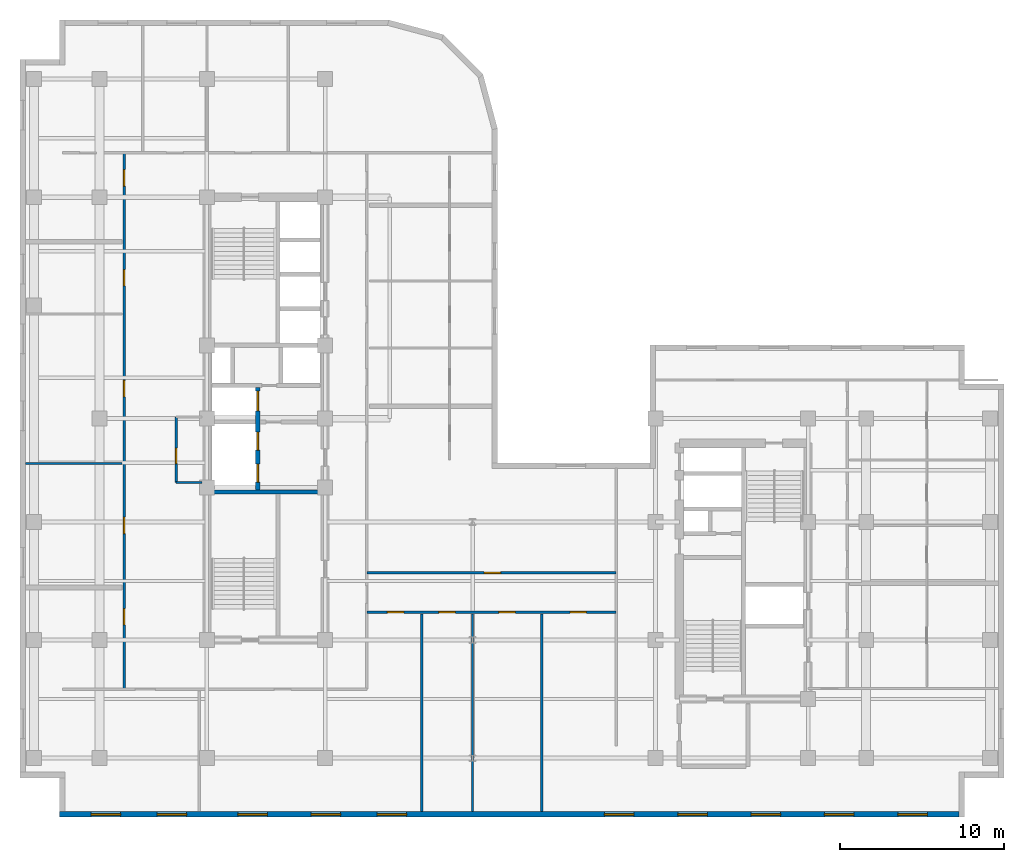
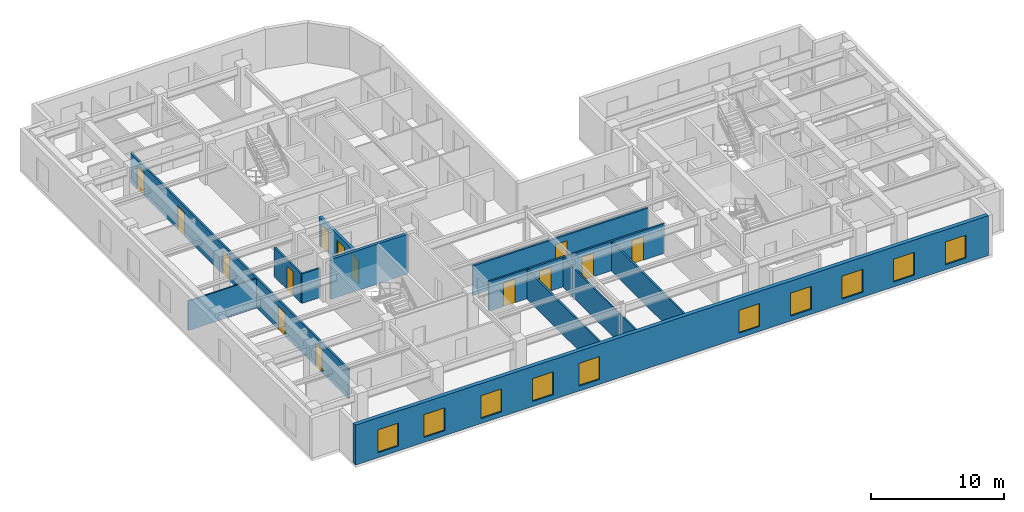
# One storey, part 4 of 11: 14 doors, 12 walls, 10 windows, 24 openings.
"""IFC4 building model written with IfcOpenShell, lengths in metres."""

from ifc_helpers import new_model, entity, si_unit, converted_unit, direction, frame, origin_with_axes, origin_2d_with_axis, place, context, subcontext, project, spatial, polyline, rectangle, outline, extrude, material, layer, layer_set, type_object, element, fill, save


model = new_model("IFC4")

# Units and contexts
model_context = context("Model", 3, precision=1e-05, world=origin_with_axes(), true_north=direction((0.0, 1.0)))
body_context = subcontext(model_context, "Body", "Model", "MODEL_VIEW")
ifc_project = project(units=[si_unit("LENGTHUNIT", "METRE"), si_unit("AREAUNIT", "SQUARE_METRE"), si_unit("VOLUMEUNIT", "CUBIC_METRE"), converted_unit("PLANEANGLEUNIT", "DEGREE", entity("IfcPlaneAngleMeasure", 0.017453292519943295), si_unit("PLANEANGLEUNIT", "RADIAN"), dimensions=[0, 0, 0, 0, 0, 0, 0]), si_unit("MASSUNIT", "GRAM", prefix="KILO"), si_unit("THERMODYNAMICTEMPERATUREUNIT", "KELVIN")], contexts=[model_context])

# Site, building, storey
site_placement = place(None, origin_with_axes())
site = spatial("IfcSite", under=ifc_project, at=site_placement, CompositionType="ELEMENT")
building_placement = place(site_placement, origin_with_axes())
building = spatial("IfcBuilding", under=site, at=building_placement, Name="Varnlund Millrace Tower", CompositionType="ELEMENT")
storey_placement = place(building_placement, frame((0.0, 0.0, 200.4), z_axis=(0.0, 0.0, 1.0), x_axis=(1.0, 0.0, 0.0)))
storey = spatial("IfcBuildingStorey", under=building, at=storey_placement, Name="L49", CompositionType="ELEMENT", Elevation=200.4)

# Wall, openings, windows
ifc_material_1 = material(Name="Precast concrete C50/60", Category="concrete")
ifc_layer_1 = layer(ifc_material_1, 0.34, Name="Precast concrete C50/60")
ifc_layer_set_1 = layer_set([ifc_layer_1], Name="Precast concrete C50/60")
wall_type_1 = type_object("IfcWallType", Name="Type-ExtWall-Precast-Upper-340", PredefinedType="SOLIDWALL", material=ifc_layer_set_1)
wall_1_placement = place(storey_placement, frame((57.26, 0.17, 0.0), z_axis=(0.0, 0.0, 1.0), x_axis=(-1.0, 0.0, 0.0)))
wall_1 = element("IfcWall", 1, at=wall_1_placement, inside=storey, type_object=wall_type_1, Name="Type-ExtWall-Precast-Upper-340", PredefinedType="SOLIDWALL", context=body_context, shape_type="SweptSolid", body=[
    extrude(outline(polyline([(0.0, -0.17), (54.86, -0.17), (54.86, 0.17), (0.0, 0.17), (0.0, -0.17)])), origin_with_axes(), (0.0, 0.0, 1.0), 3.66),
])
opening_1_placement = place(wall_1_placement, frame((2.836, 0.0, 0.45), z_axis=(0.0, 0.0, 1.0), x_axis=(1.0, 0.0, 0.0)))
opening_1 = element("IfcOpeningElement", 2, at=opening_1_placement, cuts=wall_1, Name="Opening L49:WN-06", PredefinedType="OPENING", context=body_context, shape_type="SweptSolid", body=[
    extrude(rectangle(XDim=1.8, YDim=0.36, at=origin_2d_with_axis()), origin_with_axes(), (0.0, 0.0, 1.0), 2.1),
])
opening_2_placement = place(wall_1_placement, frame((7.307, 0.0, 0.45), z_axis=(0.0, 0.0, 1.0), x_axis=(1.0, 0.0, 0.0)))
opening_2 = element("IfcOpeningElement", 3, at=opening_2_placement, cuts=wall_1, Name="Opening L49:WN-07", PredefinedType="OPENING", context=body_context, shape_type="SweptSolid", body=[
    extrude(rectangle(XDim=1.8, YDim=0.36, at=origin_2d_with_axis()), origin_with_axes(), (0.0, 0.0, 1.0), 2.1),
])
opening_3_placement = place(wall_1_placement, frame((11.779, 0.0, 0.45), z_axis=(0.0, 0.0, 1.0), x_axis=(1.0, 0.0, 0.0)))
opening_3 = element("IfcOpeningElement", 4, at=opening_3_placement, cuts=wall_1, Name="Opening L49:WN-08", PredefinedType="OPENING", context=body_context, shape_type="SweptSolid", body=[
    extrude(rectangle(XDim=1.8, YDim=0.36, at=origin_2d_with_axis()), origin_with_axes(), (0.0, 0.0, 1.0), 2.1),
])
opening_4_placement = place(wall_1_placement, frame((16.251, 0.0, 0.45), z_axis=(0.0, 0.0, 1.0), x_axis=(1.0, 0.0, 0.0)))
opening_4 = element("IfcOpeningElement", 5, at=opening_4_placement, cuts=wall_1, Name="Opening L49:WN-09", PredefinedType="OPENING", context=body_context, shape_type="SweptSolid", body=[
    extrude(rectangle(XDim=1.8, YDim=0.36, at=origin_2d_with_axis()), origin_with_axes(), (0.0, 0.0, 1.0), 2.1),
])
opening_5_placement = place(wall_1_placement, frame((20.723, 0.0, 0.45), z_axis=(0.0, 0.0, 1.0), x_axis=(1.0, 0.0, 0.0)))
opening_5 = element("IfcOpeningElement", 6, at=opening_5_placement, cuts=wall_1, Name="Opening L49:WN-10", PredefinedType="OPENING", context=body_context, shape_type="SweptSolid", body=[
    extrude(rectangle(XDim=1.8, YDim=0.36, at=origin_2d_with_axis()), origin_with_axes(), (0.0, 0.0, 1.0), 2.1),
])
opening_6_placement = place(wall_1_placement, frame((34.588, 0.0, 0.45), z_axis=(0.0, 0.0, 1.0), x_axis=(1.0, 0.0, 0.0)))
opening_6 = element("IfcOpeningElement", 7, at=opening_6_placement, cuts=wall_1, Name="Opening L49:WN-11", PredefinedType="OPENING", context=body_context, shape_type="SweptSolid", body=[
    extrude(rectangle(XDim=1.8, YDim=0.36, at=origin_2d_with_axis()), origin_with_axes(), (0.0, 0.0, 1.0), 2.1),
])
opening_7_placement = place(wall_1_placement, frame((38.609, 0.0, 0.45), z_axis=(0.0, 0.0, 1.0), x_axis=(1.0, 0.0, 0.0)))
opening_7 = element("IfcOpeningElement", 8, at=opening_7_placement, cuts=wall_1, Name="Opening L49:WN-12", PredefinedType="OPENING", context=body_context, shape_type="SweptSolid", body=[
    extrude(rectangle(XDim=1.8, YDim=0.36, at=origin_2d_with_axis()), origin_with_axes(), (0.0, 0.0, 1.0), 2.1),
])
opening_8_placement = place(wall_1_placement, frame((43.081, 0.0, 0.45), z_axis=(0.0, 0.0, 1.0), x_axis=(1.0, 0.0, 0.0)))
opening_8 = element("IfcOpeningElement", 9, at=opening_8_placement, cuts=wall_1, Name="Opening L49:WN-13", PredefinedType="OPENING", context=body_context, shape_type="SweptSolid", body=[
    extrude(rectangle(XDim=1.8, YDim=0.36, at=origin_2d_with_axis()), origin_with_axes(), (0.0, 0.0, 1.0), 2.1),
])
opening_9_placement = place(wall_1_placement, frame((48.003, 0.0, 0.45), z_axis=(0.0, 0.0, 1.0), x_axis=(1.0, 0.0, 0.0)))
opening_9 = element("IfcOpeningElement", 10, at=opening_9_placement, cuts=wall_1, Name="Opening L49:WN-14", PredefinedType="OPENING", context=body_context, shape_type="SweptSolid", body=[
    extrude(rectangle(XDim=1.8, YDim=0.36, at=origin_2d_with_axis()), origin_with_axes(), (0.0, 0.0, 1.0), 2.1),
])
opening_10_placement = place(wall_1_placement, frame((52.024, 0.0, 0.45), z_axis=(0.0, 0.0, 1.0), x_axis=(1.0, 0.0, 0.0)))
opening_10 = element("IfcOpeningElement", 11, at=opening_10_placement, cuts=wall_1, Name="Opening L49:WN-15", PredefinedType="OPENING", context=body_context, shape_type="SweptSolid", body=[
    extrude(rectangle(XDim=1.8, YDim=0.36, at=origin_2d_with_axis()), origin_with_axes(), (0.0, 0.0, 1.0), 2.1),
])
ifc_material_2 = material(Name="Argon low-e triple glazing in thermally broken bronze frame", Category="glass")
window_type = type_object("IfcWindowType", Name="Type-Window-Punched-1800X2100", PartitioningType="SINGLE_PANEL", PredefinedType="WINDOW", material=ifc_material_2)
window_1_placement = place(wall_1_placement, frame((2.836, 0.0, 0.45), z_axis=(0.0, 0.0, 1.0), x_axis=(1.0, 0.0, 0.0)))
window_1 = element("IfcWindow", 12, at=window_1_placement, inside=storey, type_object=window_type, Name="Type-Window-Punched-1800X2100", OverallHeight=2.1, OverallWidth=1.8, PredefinedType="WINDOW", context=body_context, shape_type="SweptSolid", body=[
    extrude(rectangle(XDim=1.8, YDim=0.09, at=origin_2d_with_axis()), origin_with_axes(), (0.0, 0.0, 1.0), 2.1),
])
fill(opening_1, window_1)
window_2_placement = place(wall_1_placement, frame((7.307, 0.0, 0.45), z_axis=(0.0, 0.0, 1.0), x_axis=(1.0, 0.0, 0.0)))
window_2 = element("IfcWindow", 13, at=window_2_placement, inside=storey, type_object=window_type, Name="Type-Window-Punched-1800X2100", OverallHeight=2.1, OverallWidth=1.8, PredefinedType="WINDOW", context=body_context, shape_type="SweptSolid", body=[
    extrude(rectangle(XDim=1.8, YDim=0.09, at=origin_2d_with_axis()), origin_with_axes(), (0.0, 0.0, 1.0), 2.1),
])
fill(opening_2, window_2)
window_3_placement = place(wall_1_placement, frame((11.779, 0.0, 0.45), z_axis=(0.0, 0.0, 1.0), x_axis=(1.0, 0.0, 0.0)))
window_3 = element("IfcWindow", 14, at=window_3_placement, inside=storey, type_object=window_type, Name="Type-Window-Punched-1800X2100", OverallHeight=2.1, OverallWidth=1.8, PredefinedType="WINDOW", context=body_context, shape_type="SweptSolid", body=[
    extrude(rectangle(XDim=1.8, YDim=0.09, at=origin_2d_with_axis()), origin_with_axes(), (0.0, 0.0, 1.0), 2.1),
])
fill(opening_3, window_3)
window_4_placement = place(wall_1_placement, frame((16.251, 0.0, 0.45), z_axis=(0.0, 0.0, 1.0), x_axis=(1.0, 0.0, 0.0)))
window_4 = element("IfcWindow", 15, at=window_4_placement, inside=storey, type_object=window_type, Name="Type-Window-Punched-1800X2100", OverallHeight=2.1, OverallWidth=1.8, PredefinedType="WINDOW", context=body_context, shape_type="SweptSolid", body=[
    extrude(rectangle(XDim=1.8, YDim=0.09, at=origin_2d_with_axis()), origin_with_axes(), (0.0, 0.0, 1.0), 2.1),
])
fill(opening_4, window_4)
window_5_placement = place(wall_1_placement, frame((20.723, 0.0, 0.45), z_axis=(0.0, 0.0, 1.0), x_axis=(1.0, 0.0, 0.0)))
window_5 = element("IfcWindow", 16, at=window_5_placement, inside=storey, type_object=window_type, Name="Type-Window-Punched-1800X2100", OverallHeight=2.1, OverallWidth=1.8, PredefinedType="WINDOW", context=body_context, shape_type="SweptSolid", body=[
    extrude(rectangle(XDim=1.8, YDim=0.09, at=origin_2d_with_axis()), origin_with_axes(), (0.0, 0.0, 1.0), 2.1),
])
fill(opening_5, window_5)
window_6_placement = place(wall_1_placement, frame((34.588, 0.0, 0.45), z_axis=(0.0, 0.0, 1.0), x_axis=(1.0, 0.0, 0.0)))
window_6 = element("IfcWindow", 17, at=window_6_placement, inside=storey, type_object=window_type, Name="Type-Window-Punched-1800X2100", OverallHeight=2.1, OverallWidth=1.8, PredefinedType="WINDOW", context=body_context, shape_type="SweptSolid", body=[
    extrude(rectangle(XDim=1.8, YDim=0.09, at=origin_2d_with_axis()), origin_with_axes(), (0.0, 0.0, 1.0), 2.1),
])
fill(opening_6, window_6)
window_7_placement = place(wall_1_placement, frame((38.609, 0.0, 0.45), z_axis=(0.0, 0.0, 1.0), x_axis=(1.0, 0.0, 0.0)))
window_7 = element("IfcWindow", 18, at=window_7_placement, inside=storey, type_object=window_type, Name="Type-Window-Punched-1800X2100", OverallHeight=2.1, OverallWidth=1.8, PredefinedType="WINDOW", context=body_context, shape_type="SweptSolid", body=[
    extrude(rectangle(XDim=1.8, YDim=0.09, at=origin_2d_with_axis()), origin_with_axes(), (0.0, 0.0, 1.0), 2.1),
])
fill(opening_7, window_7)
window_8_placement = place(wall_1_placement, frame((43.081, 0.0, 0.45), z_axis=(0.0, 0.0, 1.0), x_axis=(1.0, 0.0, 0.0)))
window_8 = element("IfcWindow", 19, at=window_8_placement, inside=storey, type_object=window_type, Name="Type-Window-Punched-1800X2100", OverallHeight=2.1, OverallWidth=1.8, PredefinedType="WINDOW", context=body_context, shape_type="SweptSolid", body=[
    extrude(rectangle(XDim=1.8, YDim=0.09, at=origin_2d_with_axis()), origin_with_axes(), (0.0, 0.0, 1.0), 2.1),
])
fill(opening_8, window_8)
window_9_placement = place(wall_1_placement, frame((48.003, 0.0, 0.45), z_axis=(0.0, 0.0, 1.0), x_axis=(1.0, 0.0, 0.0)))
window_9 = element("IfcWindow", 20, at=window_9_placement, inside=storey, type_object=window_type, Name="Type-Window-Punched-1800X2100", OverallHeight=2.1, OverallWidth=1.8, PredefinedType="WINDOW", context=body_context, shape_type="SweptSolid", body=[
    extrude(rectangle(XDim=1.8, YDim=0.09, at=origin_2d_with_axis()), origin_with_axes(), (0.0, 0.0, 1.0), 2.1),
])
fill(opening_9, window_9)
window_10_placement = place(wall_1_placement, frame((52.024, 0.0, 0.45), z_axis=(0.0, 0.0, 1.0), x_axis=(1.0, 0.0, 0.0)))
window_10 = element("IfcWindow", 21, at=window_10_placement, inside=storey, type_object=window_type, Name="Type-Window-Punched-1800X2100", OverallHeight=2.1, OverallWidth=1.8, PredefinedType="WINDOW", context=body_context, shape_type="SweptSolid", body=[
    extrude(rectangle(XDim=1.8, YDim=0.09, at=origin_2d_with_axis()), origin_with_axes(), (0.0, 0.0, 1.0), 2.1),
])
fill(opening_10, window_10)

# Wall, openings, doors
ifc_material_3 = material(Name="Fire-rated gypsum board on cold-formed steel framing", Category="steel")
ifc_layer_2 = layer(ifc_material_3, 0.16, Name="Fire-rated gypsum board on cold-formed steel framing")
ifc_layer_set_2 = layer_set([ifc_layer_2], Name="Fire-rated gypsum board on cold-formed steel framing")
wall_type_2 = type_object("IfcWallType", Name="Type-Partition-Corridor-160", PredefinedType="PARTITIONING", material=ifc_layer_set_2)
wall_2_placement = place(storey_placement, frame((6.35, 7.8, 0.0), z_axis=(0.0, 0.0, 1.0), x_axis=(0.0, 1.0, 0.0)))
wall_2 = element("IfcWall", 22, at=wall_2_placement, inside=storey, type_object=wall_type_2, Name="Type-Partition-Corridor-160", PredefinedType="PARTITIONING", context=body_context, shape_type="SweptSolid", body=[
    extrude(outline(polyline([(0.0, -0.08), (32.7, -0.08), (32.7, 0.08), (0.0, 0.08), (0.0, -0.08)])), origin_with_axes(), (0.0, 0.0, 1.0), 2.7),
])
opening_11_placement = place(wall_2_placement, frame((4.415, 0.0, 0.0), z_axis=(0.0, 0.0, 1.0), x_axis=(1.0, 0.0, 0.0)))
opening_11 = element("IfcOpeningElement", 23, at=opening_11_placement, cuts=wall_2, Name="Opening L49:DR-W-01", PredefinedType="OPENING", context=body_context, shape_type="SweptSolid", body=[
    extrude(rectangle(XDim=1.0, YDim=0.18, at=origin_2d_with_axis()), origin_with_axes(), (0.0, 0.0, 1.0), 2.15),
])
opening_12_placement = place(wall_2_placement, frame((9.9865, 0.0, 0.0), z_axis=(0.0, 0.0, 1.0), x_axis=(1.0, 0.0, 0.0)))
opening_12 = element("IfcOpeningElement", 24, at=opening_12_placement, cuts=wall_2, Name="Opening L49:DR-W-02", PredefinedType="OPENING", context=body_context, shape_type="SweptSolid", body=[
    extrude(rectangle(XDim=1.0, YDim=0.18, at=origin_2d_with_axis()), origin_with_axes(), (0.0, 0.0, 1.0), 2.15),
])
opening_13_placement = place(wall_2_placement, frame((18.332, 0.0, 0.0), z_axis=(0.0, 0.0, 1.0), x_axis=(1.0, 0.0, 0.0)))
opening_13 = element("IfcOpeningElement", 25, at=opening_13_placement, cuts=wall_2, Name="Opening L49:DR-W-03", PredefinedType="OPENING", context=body_context, shape_type="SweptSolid", body=[
    extrude(rectangle(XDim=1.0, YDim=0.18, at=origin_2d_with_axis()), origin_with_axes(), (0.0, 0.0, 1.0), 2.15),
])
opening_14_placement = place(wall_2_placement, frame((25.088, 0.0, 0.0), z_axis=(0.0, 0.0, 1.0), x_axis=(1.0, 0.0, 0.0)))
opening_14 = element("IfcOpeningElement", 26, at=opening_14_placement, cuts=wall_2, Name="Opening L49:DR-W-04", PredefinedType="OPENING", context=body_context, shape_type="SweptSolid", body=[
    extrude(rectangle(XDim=1.0, YDim=0.18, at=origin_2d_with_axis()), origin_with_axes(), (0.0, 0.0, 1.0), 2.15),
])
opening_15_placement = place(wall_2_placement, frame((31.177, 0.0, 0.0), z_axis=(0.0, 0.0, 1.0), x_axis=(1.0, 0.0, 0.0)))
opening_15 = element("IfcOpeningElement", 27, at=opening_15_placement, cuts=wall_2, Name="Opening L49:DR-W-05", PredefinedType="OPENING", context=body_context, shape_type="SweptSolid", body=[
    extrude(rectangle(XDim=1.0, YDim=0.18, at=origin_2d_with_axis()), origin_with_axes(), (0.0, 0.0, 1.0), 2.15),
])
ifc_material_4 = material(Name="Solid-core white oak and bronze frame door")
door_type_1 = type_object("IfcDoorType", Name="Type-IntDoor-Office-1000X2150", OperationType="NOTDEFINED", PredefinedType="DOOR", material=ifc_material_4)
door_1_placement = place(wall_2_placement, frame((4.415, 0.0, 0.0), z_axis=(0.0, 0.0, 1.0), x_axis=(1.0, 0.0, 0.0)))
door_1 = element("IfcDoor", 28, at=door_1_placement, inside=storey, type_object=door_type_1, Name="Type-IntDoor-Office-1000X2150", OperationType="SINGLE_SWING_LEFT", OverallHeight=2.15, OverallWidth=1.0, PredefinedType="DOOR", context=body_context, shape_type="SweptSolid", body=[
    extrude(rectangle(XDim=1.0, YDim=0.09, at=origin_2d_with_axis()), origin_with_axes(), (0.0, 0.0, 1.0), 2.15),
])
fill(opening_11, door_1)
door_2_placement = place(wall_2_placement, frame((9.9865, 0.0, 0.0), z_axis=(0.0, 0.0, 1.0), x_axis=(1.0, 0.0, 0.0)))
door_2 = element("IfcDoor", 29, at=door_2_placement, inside=storey, type_object=door_type_1, Name="Type-IntDoor-Office-1000X2150", OperationType="SINGLE_SWING_RIGHT", OverallHeight=2.15, OverallWidth=1.0, PredefinedType="DOOR", context=body_context, shape_type="SweptSolid", body=[
    extrude(rectangle(XDim=1.0, YDim=0.09, at=origin_2d_with_axis()), origin_with_axes(), (0.0, 0.0, 1.0), 2.15),
])
fill(opening_12, door_2)
door_3_placement = place(wall_2_placement, frame((18.332, 0.0, 0.0), z_axis=(0.0, 0.0, 1.0), x_axis=(1.0, 0.0, 0.0)))
door_3 = element("IfcDoor", 30, at=door_3_placement, inside=storey, type_object=door_type_1, Name="Type-IntDoor-Office-1000X2150", OperationType="SINGLE_SWING_LEFT", OverallHeight=2.15, OverallWidth=1.0, PredefinedType="DOOR", context=body_context, shape_type="SweptSolid", body=[
    extrude(rectangle(XDim=1.0, YDim=0.09, at=origin_2d_with_axis()), origin_with_axes(), (0.0, 0.0, 1.0), 2.15),
])
fill(opening_13, door_3)
door_4_placement = place(wall_2_placement, frame((25.088, 0.0, 0.0), z_axis=(0.0, 0.0, 1.0), x_axis=(1.0, 0.0, 0.0)))
door_4 = element("IfcDoor", 31, at=door_4_placement, inside=storey, type_object=door_type_1, Name="Type-IntDoor-Office-1000X2150", OperationType="SINGLE_SWING_RIGHT", OverallHeight=2.15, OverallWidth=1.0, PredefinedType="DOOR", context=body_context, shape_type="SweptSolid", body=[
    extrude(rectangle(XDim=1.0, YDim=0.09, at=origin_2d_with_axis()), origin_with_axes(), (0.0, 0.0, 1.0), 2.15),
])
fill(opening_14, door_4)
door_5_placement = place(wall_2_placement, frame((31.177, 0.0, 0.0), z_axis=(0.0, 0.0, 1.0), x_axis=(1.0, 0.0, 0.0)))
door_5 = element("IfcDoor", 32, at=door_5_placement, inside=storey, type_object=door_type_1, Name="Type-IntDoor-Office-1000X2150", OperationType="SINGLE_SWING_LEFT", OverallHeight=2.15, OverallWidth=1.0, PredefinedType="DOOR", context=body_context, shape_type="SweptSolid", body=[
    extrude(rectangle(XDim=1.0, YDim=0.09, at=origin_2d_with_axis()), origin_with_axes(), (0.0, 0.0, 1.0), 2.15),
])
fill(opening_15, door_5)

wall_3_placement = place(storey_placement, frame((21.15, 12.5, 0.0), z_axis=(0.0, 0.0, 1.0), x_axis=(1.0, 0.0, 0.0)))
wall_3 = element("IfcWall", 33, at=wall_3_placement, inside=storey, type_object=wall_type_2, Name="Type-Partition-Corridor-160", PredefinedType="PARTITIONING", context=body_context, shape_type="SweptSolid", body=[
    extrude(outline(polyline([(0.0, -0.08), (15.2, -0.08), (15.2, 0.08), (0.0, 0.08), (0.0, -0.08)])), origin_with_axes(), (0.0, 0.0, 1.0), 2.7),
])
opening_16_placement = place(wall_3_placement, frame((1.7575, 0.0, 0.0), z_axis=(0.0, 0.0, 1.0), x_axis=(1.0, 0.0, 0.0)))
opening_16 = element("IfcOpeningElement", 34, at=opening_16_placement, cuts=wall_3, Name="Opening L49:DR-KNS-01", PredefinedType="OPENING", context=body_context, shape_type="SweptSolid", body=[
    extrude(rectangle(XDim=1.0, YDim=0.18, at=origin_2d_with_axis()), origin_with_axes(), (0.0, 0.0, 1.0), 2.15),
])
opening_17_placement = place(wall_3_placement, frame((4.8925, 0.0, 0.0), z_axis=(0.0, 0.0, 1.0), x_axis=(1.0, 0.0, 0.0)))
opening_17 = element("IfcOpeningElement", 35, at=opening_17_placement, cuts=wall_3, Name="Opening L49:DR-KNS-02", PredefinedType="OPENING", context=body_context, shape_type="SweptSolid", body=[
    extrude(rectangle(XDim=1.0, YDim=0.18, at=origin_2d_with_axis()), origin_with_axes(), (0.0, 0.0, 1.0), 2.15),
])
opening_18_placement = place(wall_3_placement, frame((8.5545, 0.0, 0.0), z_axis=(0.0, 0.0, 1.0), x_axis=(1.0, 0.0, 0.0)))
opening_18 = element("IfcOpeningElement", 36, at=opening_18_placement, cuts=wall_3, Name="Opening L49:DR-KNS-03", PredefinedType="OPENING", context=body_context, shape_type="SweptSolid", body=[
    extrude(rectangle(XDim=1.0, YDim=0.18, at=origin_2d_with_axis()), origin_with_axes(), (0.0, 0.0, 1.0), 2.15),
])
opening_19_placement = place(wall_3_placement, frame((12.8895, 0.0, 0.0), z_axis=(0.0, 0.0, 1.0), x_axis=(1.0, 0.0, 0.0)))
opening_19 = element("IfcOpeningElement", 37, at=opening_19_placement, cuts=wall_3, Name="Opening L49:DR-KNS-04", PredefinedType="OPENING", context=body_context, shape_type="SweptSolid", body=[
    extrude(rectangle(XDim=1.0, YDim=0.18, at=origin_2d_with_axis()), origin_with_axes(), (0.0, 0.0, 1.0), 2.15),
])
door_6_placement = place(wall_3_placement, frame((1.7575, 0.0, 0.0), z_axis=(0.0, 0.0, 1.0), x_axis=(1.0, 0.0, 0.0)))
door_6 = element("IfcDoor", 38, at=door_6_placement, inside=storey, type_object=door_type_1, Name="Type-IntDoor-Office-1000X2150", OperationType="SINGLE_SWING_LEFT", OverallHeight=2.15, OverallWidth=1.0, PredefinedType="DOOR", context=body_context, shape_type="SweptSolid", body=[
    extrude(rectangle(XDim=1.0, YDim=0.09, at=origin_2d_with_axis()), origin_with_axes(), (0.0, 0.0, 1.0), 2.15),
])
fill(opening_16, door_6)
door_7_placement = place(wall_3_placement, frame((4.8925, 0.0, 0.0), z_axis=(0.0, 0.0, 1.0), x_axis=(1.0, 0.0, 0.0)))
door_7 = element("IfcDoor", 39, at=door_7_placement, inside=storey, type_object=door_type_1, Name="Type-IntDoor-Office-1000X2150", OperationType="SINGLE_SWING_RIGHT", OverallHeight=2.15, OverallWidth=1.0, PredefinedType="DOOR", context=body_context, shape_type="SweptSolid", body=[
    extrude(rectangle(XDim=1.0, YDim=0.09, at=origin_2d_with_axis()), origin_with_axes(), (0.0, 0.0, 1.0), 2.15),
])
fill(opening_17, door_7)
door_8_placement = place(wall_3_placement, frame((8.5545, 0.0, 0.0), z_axis=(0.0, 0.0, 1.0), x_axis=(1.0, 0.0, 0.0)))
door_8 = element("IfcDoor", 40, at=door_8_placement, inside=storey, type_object=door_type_1, Name="Type-IntDoor-Office-1000X2150", OperationType="SINGLE_SWING_LEFT", OverallHeight=2.15, OverallWidth=1.0, PredefinedType="DOOR", context=body_context, shape_type="SweptSolid", body=[
    extrude(rectangle(XDim=1.0, YDim=0.09, at=origin_2d_with_axis()), origin_with_axes(), (0.0, 0.0, 1.0), 2.15),
])
fill(opening_18, door_8)
door_9_placement = place(wall_3_placement, frame((12.8895, 0.0, 0.0), z_axis=(0.0, 0.0, 1.0), x_axis=(1.0, 0.0, 0.0)))
door_9 = element("IfcDoor", 41, at=door_9_placement, inside=storey, type_object=door_type_1, Name="Type-IntDoor-Office-1000X2150", OperationType="SINGLE_SWING_RIGHT", OverallHeight=2.15, OverallWidth=1.0, PredefinedType="DOOR", context=body_context, shape_type="SweptSolid", body=[
    extrude(rectangle(XDim=1.0, YDim=0.09, at=origin_2d_with_axis()), origin_with_axes(), (0.0, 0.0, 1.0), 2.15),
])
fill(opening_19, door_9)

# Wall, opening, door
wall_4_placement = place(storey_placement, frame((21.15, 14.9, 0.0), z_axis=(0.0, 0.0, 1.0), x_axis=(1.0, 0.0, 0.0)))
wall_4 = element("IfcWall", 42, at=wall_4_placement, inside=storey, type_object=wall_type_2, Name="Type-Partition-Corridor-160", PredefinedType="PARTITIONING", context=body_context, shape_type="SweptSolid", body=[
    extrude(outline(polyline([(0.0, -0.08), (15.2, -0.08), (15.2, 0.08), (0.0, 0.08), (0.0, -0.08)])), origin_with_axes(), (0.0, 0.0, 1.0), 2.7),
])
opening_20_placement = place(wall_4_placement, frame((7.65, 0.0, 0.0), z_axis=(0.0, 0.0, 1.0), x_axis=(1.0, 0.0, 0.0)))
opening_20 = element("IfcOpeningElement", 43, at=opening_20_placement, cuts=wall_4, Name="Opening L49:DR-KN-01", PredefinedType="OPENING", context=body_context, shape_type="SweptSolid", body=[
    extrude(rectangle(XDim=1.0, YDim=0.18, at=origin_2d_with_axis()), origin_with_axes(), (0.0, 0.0, 1.0), 2.15),
])
door_10_placement = place(wall_4_placement, frame((7.65, 0.0, 0.0), z_axis=(0.0, 0.0, 1.0), x_axis=(1.0, 0.0, 0.0)))
door_10 = element("IfcDoor", 44, at=door_10_placement, inside=storey, type_object=door_type_1, Name="Type-IntDoor-Office-1000X2150", OperationType="SINGLE_SWING_LEFT", OverallHeight=2.15, OverallWidth=1.0, PredefinedType="DOOR", context=body_context, shape_type="SweptSolid", body=[
    extrude(rectangle(XDim=1.0, YDim=0.09, at=origin_2d_with_axis()), origin_with_axes(), (0.0, 0.0, 1.0), 2.15),
])
fill(opening_20, door_10)

# Walls
ifc_material_5 = material(Name="Acoustic STC-50 gypsum board partition", Category="gypsum")
ifc_layer_3 = layer(ifc_material_5, 0.15, Name="Acoustic STC-50 gypsum board partition")
ifc_layer_set_3 = layer_set([ifc_layer_3], Name="Acoustic STC-50 gypsum board partition")
wall_type_3 = type_object("IfcWallType", Name="Type-Partition-Demising-150", PredefinedType="PARTITIONING", material=ifc_layer_set_3)
for number, where, z_axis, x_axis, name in (
    (45, (24.485, 0.335, 0.0), (0.0, 0.0, 1.0), (0.0, 1.0, 0.0), "Type-Partition-Demising-150"),
    (46, (31.809, 0.335, 0.0), (0.0, 0.0, 1.0), (0.0, 1.0, 0.0), "Type-Partition-Demising-150"),
):
    element("IfcWall", number, at=place(storey_placement, frame(where, z_axis=z_axis, x_axis=x_axis)), inside=storey, type_object=wall_type_3, Name=name, PredefinedType="PARTITIONING", context=body_context, shape_type="SweptSolid", body=[
        extrude(outline(polyline([(0.0, -0.075), (12.045, -0.075), (12.045, 0.075), (0.0, 0.075), (0.0, -0.075)])), origin_with_axes(), (0.0, 0.0, 1.0), 2.7),
    ])
ifc_material_6 = material(Name="Gypsum board tenant partition", Category="gypsum")
ifc_layer_4 = layer(ifc_material_6, 0.125, Name="Gypsum board tenant partition")
ifc_layer_set_4 = layer_set([ifc_layer_4], Name="Gypsum board tenant partition")
wall_type_4 = type_object("IfcWallType", Name="Type-Partition-Tenant-125", PredefinedType="PARTITIONING", material=ifc_layer_set_4)
wall_5_placement = place(storey_placement, frame((0.335, 21.572, 0.0), z_axis=(0.0, 0.0, 1.0), x_axis=(1.0, 0.0, 0.0)))
element("IfcWall", 47, at=wall_5_placement, inside=storey, type_object=wall_type_4, Name="Type-Partition-Tenant-125", PredefinedType="PARTITIONING", context=body_context, shape_type="SweptSolid", body=[
    extrude(outline(polyline([(0.0, -0.0625), (5.895, -0.0625), (5.895, 0.0625), (0.0, 0.0625), (0.0, -0.0625)])), origin_with_axes(), (0.0, 0.0, 1.0), 2.7),
])
wall_6_placement = place(storey_placement, frame((27.6, 0.335, 0.0), z_axis=(0.0, 0.0, 1.0), x_axis=(0.0, 1.0, 0.0)))
element("IfcWall", 48, at=wall_6_placement, inside=storey, type_object=wall_type_4, Name="Type-Partition-Tenant-125", PredefinedType="PARTITIONING", context=body_context, shape_type="SweptSolid", body=[
    extrude(outline(polyline([(0.0, -0.0625), (12.045, -0.0625), (12.045, 0.0625), (0.0, 0.0625), (0.0, -0.0625)])), origin_with_axes(), (0.0, 0.0, 1.0), 2.7),
])

# Wall, opening, door
ifc_material_7 = material(Name="Moisture-resistant gypsum restroom partition", Category="gypsum")
ifc_layer_5 = layer(ifc_material_7, 0.14, Name="Moisture-resistant gypsum restroom partition")
ifc_layer_set_5 = layer_set([ifc_layer_5], Name="Moisture-resistant gypsum restroom partition")
wall_type_5 = type_object("IfcWallType", Name="Type-Partition-Wet-140", PredefinedType="PARTITIONING", material=ifc_layer_set_5)
wall_7_placement = place(storey_placement, frame((9.52, 20.4, 0.0), z_axis=(0.0, 0.0, 1.0), x_axis=(0.0, 1.0, 0.0)))
wall_7 = element("IfcWall", 49, at=wall_7_placement, inside=storey, type_object=wall_type_5, Name="Type-Partition-Wet-140", PredefinedType="PARTITIONING", context=body_context, shape_type="SweptSolid", body=[
    extrude(outline(polyline([(0.0, -0.07), (4.0, -0.07), (4.0, 0.07), (0.0, 0.07), (0.0, -0.07)])), origin_with_axes(), (0.0, 0.0, 1.0), 2.7),
])
opening_21_placement = place(wall_7_placement, frame((1.625, 0.0, 0.0), z_axis=(0.0, 0.0, 1.0), x_axis=(1.0, 0.0, 0.0)))
opening_21 = element("IfcOpeningElement", 50, at=opening_21_placement, cuts=wall_7, Name="Opening L49:DR-CA-WCW", PredefinedType="OPENING", context=body_context, shape_type="SweptSolid", body=[
    extrude(rectangle(XDim=0.95, YDim=0.16, at=origin_2d_with_axis()), origin_with_axes(), (0.0, 0.0, 1.0), 2.15),
])
ifc_material_8 = material(Name="Solid-core acoustic office door")
door_type_2 = type_object("IfcDoorType", Name="Type-IntDoor-Tenant-950X2150", OperationType="NOTDEFINED", PredefinedType="DOOR", material=ifc_material_8)
door_11_placement = place(wall_7_placement, frame((1.625, 0.0, 0.0), z_axis=(0.0, 0.0, 1.0), x_axis=(1.0, 0.0, 0.0)))
door_11 = element("IfcDoor", 51, at=door_11_placement, inside=storey, type_object=door_type_2, Name="Type-IntDoor-Tenant-950X2150", OperationType="SINGLE_SWING_LEFT", OverallHeight=2.15, OverallWidth=0.95, PredefinedType="DOOR", context=body_context, shape_type="SweptSolid", body=[
    extrude(rectangle(XDim=0.95, YDim=0.084, at=origin_2d_with_axis()), origin_with_axes(), (0.0, 0.0, 1.0), 2.15),
])
fill(opening_21, door_11)

# Wall
wall_8_placement = place(storey_placement, frame((9.52, 20.4, 0.0), z_axis=(0.0, 0.0, 1.0), x_axis=(1.0, 0.0, 0.0)))
element("IfcWall", 52, at=wall_8_placement, inside=storey, type_object=wall_type_5, Name="Type-Partition-Wet-140", PredefinedType="PARTITIONING", context=body_context, shape_type="SweptSolid", body=[
    extrude(outline(polyline([(0.0, -0.07), (1.58, -0.07), (1.58, 0.07), (0.0, 0.07), (0.0, -0.07)])), origin_with_axes(), (0.0, 0.0, 1.0), 2.7),
])

# Wall, openings, doors
ifc_material_9 = material(Name="Concrete C60/75", Category="concrete")
ifc_layer_6 = layer(ifc_material_9, 0.25, Name="Concrete C60/75")
ifc_layer_set_6 = layer_set([ifc_layer_6], Name="Concrete C60/75")
wall_type_6 = type_object("IfcWallType", Name="Type-ShaftWall-Fire-250", PredefinedType="SOLIDWALL", material=ifc_layer_set_6)
wall_9_placement = place(storey_placement, frame((14.5, 19.95, 0.0), z_axis=(0.0, 0.0, 1.0), x_axis=(0.0, 1.0, 0.0)))
wall_9 = element("IfcWall", 53, at=wall_9_placement, inside=storey, type_object=wall_type_6, Name="Type-ShaftWall-Fire-250", PredefinedType="SOLIDWALL", context=body_context, shape_type="SweptSolid", body=[
    extrude(outline(polyline([(0.0, -0.125), (6.25, -0.125), (6.25, 0.125), (0.0, 0.125), (0.0, -0.125)])), origin_with_axes(), (0.0, 0.0, 1.0), 2.7),
])
opening_22_placement = place(wall_9_placement, frame((1.025, 0.0, 0.0), z_axis=(0.0, 0.0, 1.0), x_axis=(1.0, 0.0, 0.0)))
opening_22 = element("IfcOpeningElement", 54, at=opening_22_placement, cuts=wall_9, Name="Opening L49:LD-FSAE1", PredefinedType="OPENING", context=body_context, shape_type="SweptSolid", body=[
    extrude(rectangle(XDim=1.1, YDim=0.27, at=origin_2d_with_axis()), origin_with_axes(), (0.0, 0.0, 1.0), 2.15),
])
opening_23_placement = place(wall_9_placement, frame((2.975, 0.0, 0.0), z_axis=(0.0, 0.0, 1.0), x_axis=(1.0, 0.0, 0.0)))
opening_23 = element("IfcOpeningElement", 55, at=opening_23_placement, cuts=wall_9, Name="Opening L49:LD-FSAE2", PredefinedType="OPENING", context=body_context, shape_type="SweptSolid", body=[
    extrude(rectangle(XDim=1.1, YDim=0.27, at=origin_2d_with_axis()), origin_with_axes(), (0.0, 0.0, 1.0), 2.15),
])
opening_24_placement = place(wall_9_placement, frame((5.425, 0.0, 0.0), z_axis=(0.0, 0.0, 1.0), x_axis=(1.0, 0.0, 0.0)))
opening_24 = element("IfcOpeningElement", 56, at=opening_24_placement, cuts=wall_9, Name="Opening L49:LD-SRV1", PredefinedType="OPENING", context=body_context, shape_type="SweptSolid", body=[
    extrude(rectangle(XDim=1.2, YDim=0.27, at=origin_2d_with_axis()), origin_with_axes(), (0.0, 0.0, 1.0), 2.15),
])
ifc_material_10 = material(Name="Stainless and architectural bronze sliding landing door")
door_type_3 = type_object("IfcDoorType", Name="Type-LiftLandingDoor-1100X2150", OperationType="NOTDEFINED", PredefinedType="DOOR", material=ifc_material_10)
door_12_placement = place(wall_9_placement, frame((1.025, 0.0, 0.0), z_axis=(0.0, 0.0, 1.0), x_axis=(1.0, 0.0, 0.0)))
door_12 = element("IfcDoor", 57, at=door_12_placement, inside=storey, type_object=door_type_3, Name="Type-LiftLandingDoor-1100X2150", OperationType="SLIDING_TO_LEFT", OverallHeight=2.15, OverallWidth=1.1, PredefinedType="DOOR", context=body_context, shape_type="SweptSolid", body=[
    extrude(rectangle(XDim=1.1, YDim=0.09, at=origin_2d_with_axis()), origin_with_axes(), (0.0, 0.0, 1.0), 2.15),
])
fill(opening_22, door_12)
door_13_placement = place(wall_9_placement, frame((2.975, 0.0, 0.0), z_axis=(0.0, 0.0, 1.0), x_axis=(1.0, 0.0, 0.0)))
door_13 = element("IfcDoor", 58, at=door_13_placement, inside=storey, type_object=door_type_3, Name="Type-LiftLandingDoor-1100X2150", OperationType="SLIDING_TO_RIGHT", OverallHeight=2.15, OverallWidth=1.1, PredefinedType="DOOR", context=body_context, shape_type="SweptSolid", body=[
    extrude(rectangle(XDim=1.1, YDim=0.09, at=origin_2d_with_axis()), origin_with_axes(), (0.0, 0.0, 1.0), 2.15),
])
fill(opening_23, door_13)
ifc_material_11 = material(Name="Heavy-duty freight sliding landing door")
door_type_4 = type_object("IfcDoorType", Name="Type-LiftLandingDoor-Service-1200X2150", OperationType="NOTDEFINED", PredefinedType="DOOR", material=ifc_material_11)
door_14_placement = place(wall_9_placement, frame((5.425, 0.0, 0.0), z_axis=(0.0, 0.0, 1.0), x_axis=(1.0, 0.0, 0.0)))
door_14 = element("IfcDoor", 59, at=door_14_placement, inside=storey, type_object=door_type_4, Name="Type-LiftLandingDoor-Service-1200X2150", OperationType="DOUBLE_DOOR_SLIDING", OverallHeight=2.15, OverallWidth=1.2, PredefinedType="DOOR", context=body_context, shape_type="SweptSolid", body=[
    extrude(rectangle(XDim=1.2, YDim=0.09, at=origin_2d_with_axis()), origin_with_axes(), (0.0, 0.0, 1.0), 2.15),
])
fill(opening_24, door_14)

# Wall
wall_type_7 = type_object("IfcWallType", Name="Type-StairWall-Shear-250", PredefinedType="SHEAR", material=ifc_layer_set_6)
wall_10_placement = place(storey_placement, frame((11.65, 19.825, 0.0), z_axis=(0.0, 0.0, 1.0), x_axis=(1.0, 0.0, 0.0)))
element("IfcWall", 60, at=wall_10_placement, inside=storey, type_object=wall_type_7, Name="Type-StairWall-Shear-250", PredefinedType="SHEAR", context=body_context, shape_type="SweptSolid", body=[
    extrude(outline(polyline([(0.0, -0.125), (6.7, -0.125), (6.7, 0.125), (0.0, 0.125), (0.0, -0.125)])), origin_with_axes(), (0.0, 0.0, 1.0), 3.66),
])

save(model, "model.ifc")
